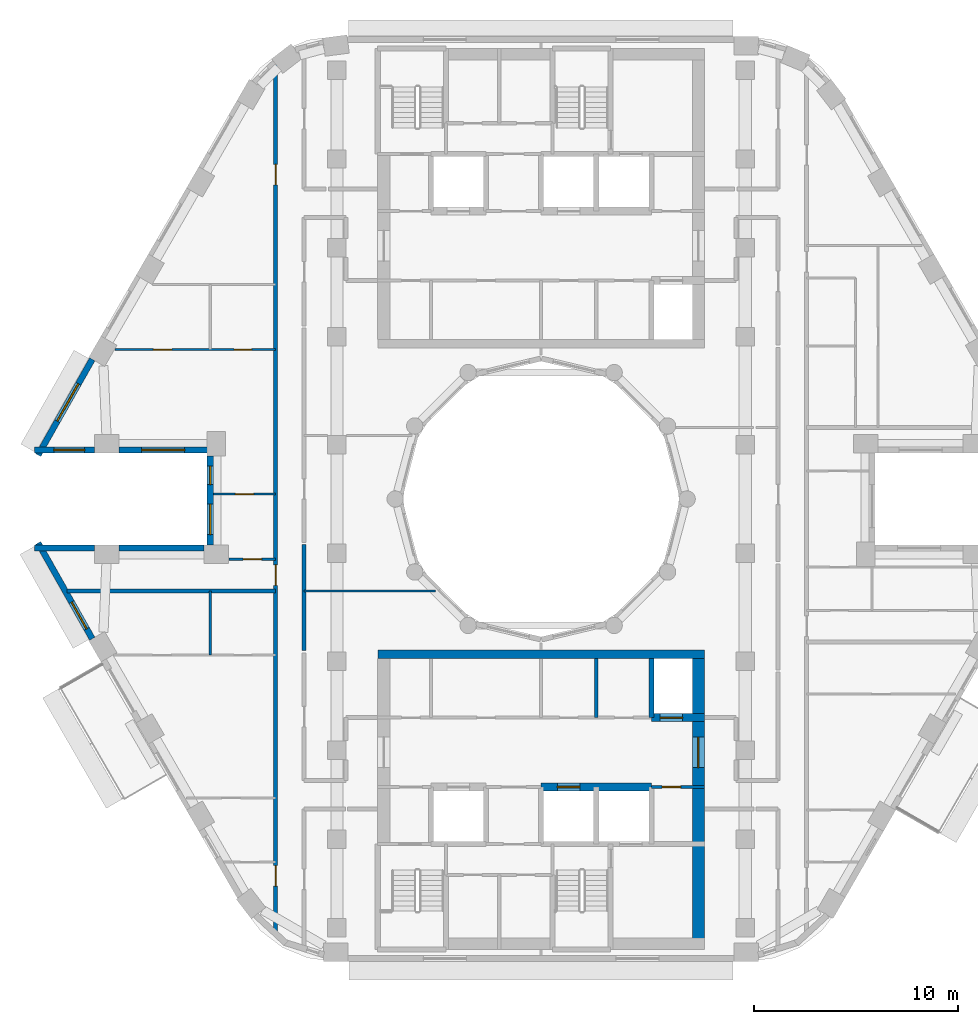
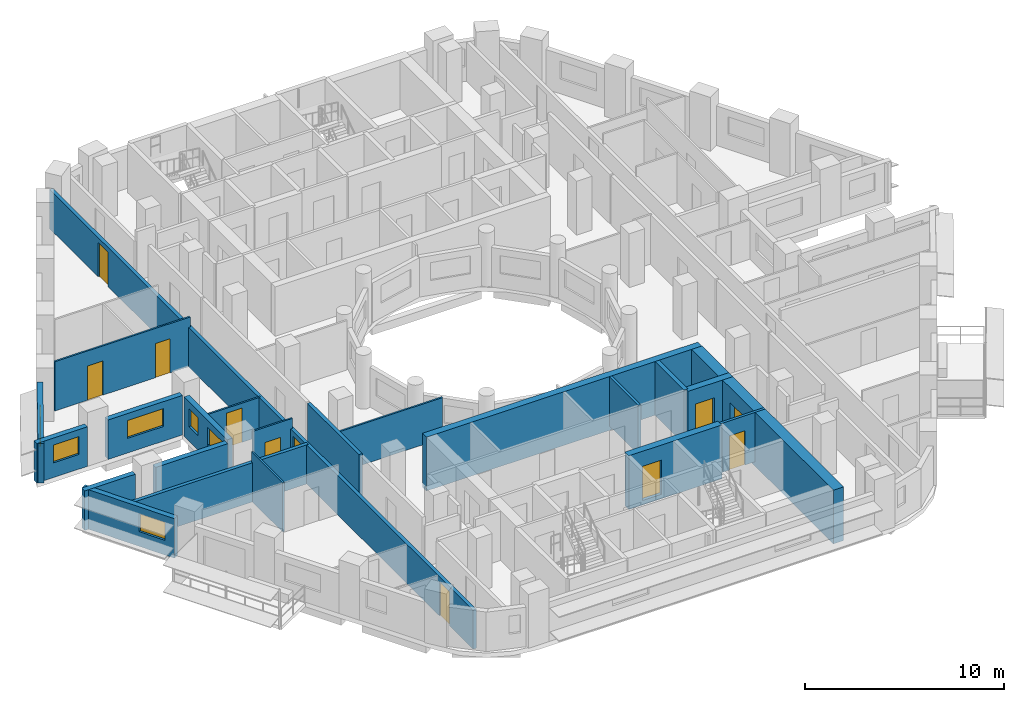
# One storey, part 4 of 16: 22 walls, 11 doors, 6 windows, 17 openings.
"""IFC4 building model written with IfcOpenShell, lengths in metres."""

from ifc_helpers import new_model, si_unit, direction, frame, frame_2d, origin, place, context, subcontext, project, spatial, rectangle, extrude, material, layer, layer_set, type_object, element, fill, save


model = new_model("IFC4")

# Units and contexts
model_context = context("Model", 3, precision=1e-05, world=origin(), true_north=direction((0.0, 1.0)))
body_context = subcontext(model_context, "Body", "Model", "MODEL_VIEW")
ifc_project = project(units=[si_unit("LENGTHUNIT", "METRE"), si_unit("AREAUNIT", "SQUARE_METRE"), si_unit("VOLUMEUNIT", "CUBIC_METRE"), si_unit("PLANEANGLEUNIT", "RADIAN"), si_unit("MASSUNIT", "GRAM", prefix="KILO")], contexts=[model_context])

# Site, building, storey
site_placement = place(None, origin())
site = spatial("IfcSite", under=ifc_project, at=site_placement, CompositionType="ELEMENT")
building_placement = place(site_placement, origin())
building = spatial("IfcBuilding", under=site, at=building_placement, Name="Nakaniwa Court", CompositionType="ELEMENT")
storey_placement = place(building_placement, frame((0.0, 0.0, 199.800048828125)))
storey = spatial("IfcBuildingStorey", under=building, at=storey_placement, Name="L52", CompositionType="ELEMENT", Elevation=199.800048828125)

# Wall
ifc_material_1 = material(Name="Acoustic double stud partition")
ifc_layer_1 = layer(ifc_material_1, 0.199951171875)
ifc_layer_set_1 = layer_set([ifc_layer_1], Name="Acoustic double stud partition")
wall_type_1 = type_object("IfcWallType", Name="Acoustic double stud partition 200", PredefinedType="PARTITIONING", material=ifc_layer_set_1)
wall_1_placement = place(storey_placement, frame((68.39990234375, 72.5771484375, 0.0), z_axis=(0.0, 0.0, 1.0), x_axis=(0.0, 1.0, 0.0)))
element("IfcWall", 1, at=wall_1_placement, inside=storey, type_object=wall_type_1, Name="Partition PW-098", PredefinedType="PARTITIONING", context=body_context, shape_type="SweptSolid", body=[
    extrude(rectangle(XDim=5.185546875, YDim=0.199951171875, at=frame_2d((2.5927734375, 0.0))), origin(), (0.0, 0.0, 1.0), 3.02490234375),
])

# Wall, openings, doors
wall_2_placement = place(storey_placement, frame((67.0, 58.67431640625, 0.0), z_axis=(0.0, 0.0, 1.0), x_axis=(0.0, 1.0, 0.0)))
wall_2 = element("IfcWall", 2, at=wall_2_placement, inside=storey, type_object=wall_type_1, Name="Partition PW-102", PredefinedType="PARTITIONING", context=body_context, shape_type="SweptSolid", body=[
    extrude(rectangle(XDim=42.591796875, YDim=0.199951171875, at=frame_2d((21.2958984375, 0.0))), origin(), (0.0, 0.0, 1.0), 2.405029296875),
])
opening_1_placement = place(wall_2_placement, frame((2.3759765625, 0.0, 0.0)))
opening_1 = element("IfcOpeningElement", 3, at=opening_1_placement, cuts=wall_2, Name="Opening D-01-04", PredefinedType="OPENING", context=body_context, shape_type="SweptSolid", body=[
    extrude(rectangle(XDim=1.0, YDim=2.10009765625, at=frame_2d((0.5, 1.050048828125))), frame((0.0, 0.10986328125, 0.0), z_axis=(0.0, -1.0, 0.0), x_axis=(1.0, 0.0, 0.0)), (0.0, 0.0, 1.0), 0.219970703125),
])
opening_2_placement = place(wall_2_placement, frame((17.10107421875, 0.0, 0.0)))
opening_2 = element("IfcOpeningElement", 4, at=opening_2_placement, cuts=wall_2, Name="Opening D-01-05", PredefinedType="OPENING", context=body_context, shape_type="SweptSolid", body=[
    extrude(rectangle(XDim=1.0, YDim=2.10009765625, at=frame_2d((0.5, 1.050048828125))), frame((0.0, 0.10986328125, 0.0), z_axis=(0.0, -1.0, 0.0), x_axis=(1.0, 0.0, 0.0)), (0.0, 0.0, 1.0), 0.219970703125),
])
opening_3_placement = place(wall_2_placement, frame((36.70703125, 0.0, 0.0)))
opening_3 = element("IfcOpeningElement", 5, at=opening_3_placement, cuts=wall_2, Name="Opening D-02-10", PredefinedType="OPENING", context=body_context, shape_type="SweptSolid", body=[
    extrude(rectangle(XDim=1.0, YDim=2.10009765625, at=frame_2d((0.5, 1.050048828125))), frame((0.0, 0.10986328125, 0.0), z_axis=(0.0, -1.0, 0.0), x_axis=(1.0, 0.0, 0.0)), (0.0, 0.0, 1.0), 0.219970703125),
])
ifc_material_2 = material(Name="Solid core timber door set, black veneer", Category="wood")
door_type_1 = type_object("IfcDoorType", Name="Flat entrance door 1000", OperationType="NOTDEFINED", PredefinedType="DOOR", material=ifc_material_2)
door_1_placement = place(opening_1_placement, origin())
door_1 = element("IfcDoor", 6, at=door_1_placement, inside=storey, type_object=door_type_1, Name="Door D-01-04 L52-043", OperationType="SINGLE_SWING_RIGHT", OverallHeight=2.10009765625, OverallWidth=1.0, PredefinedType="DOOR", context=body_context, shape_type="SweptSolid", body=[
    extrude(rectangle(XDim=1.0, YDim=2.10009765625, at=frame_2d((0.5, 1.050048828125))), frame((0.0, 0.02490234375, 0.0), z_axis=(0.0, -1.0, 0.0), x_axis=(1.0, 0.0, 0.0)), (0.0, 0.0, 1.0), 0.050048828125),
])
fill(opening_1, door_1)
door_2_placement = place(opening_2_placement, origin())
door_2 = element("IfcDoor", 7, at=door_2_placement, inside=storey, type_object=door_type_1, Name="Door D-01-05 L52-049", OperationType="SINGLE_SWING_RIGHT", OverallHeight=2.10009765625, OverallWidth=1.0, PredefinedType="DOOR", context=body_context, shape_type="SweptSolid", body=[
    extrude(rectangle(XDim=1.0, YDim=2.10009765625, at=frame_2d((0.5, 1.050048828125))), frame((0.0, 0.02490234375, 0.0), z_axis=(0.0, -1.0, 0.0), x_axis=(1.0, 0.0, 0.0)), (0.0, 0.0, 1.0), 0.050048828125),
])
fill(opening_2, door_2)
door_type_2 = type_object("IfcDoorType", Name="Internal door 1000", OperationType="NOTDEFINED", PredefinedType="DOOR", material=ifc_material_2)
door_3_placement = place(opening_3_placement, origin())
door_3 = element("IfcDoor", 8, at=door_3_placement, inside=storey, type_object=door_type_2, Name="Door D-02-10 L52-057", OperationType="SINGLE_SWING_RIGHT", OverallHeight=2.10009765625, OverallWidth=1.0, PredefinedType="DOOR", context=body_context, shape_type="SweptSolid", body=[
    extrude(rectangle(XDim=1.0, YDim=2.10009765625, at=frame_2d((0.5, 1.050048828125))), frame((0.0, 0.02490234375, 0.0), z_axis=(0.0, -1.0, 0.0), x_axis=(1.0, 0.0, 0.0)), (0.0, 0.0, 1.0), 0.050048828125),
])
fill(opening_3, door_3)

# Wall
wall_3_placement = place(storey_placement, frame((56.79052734375, 75.5, 0.0), z_axis=(0.0, 0.0, 1.0), x_axis=(1.0, 0.0, 0.0)))
element("IfcWall", 9, at=wall_3_placement, inside=storey, type_object=wall_type_1, Name="Partition PW-132", PredefinedType="PARTITIONING", context=body_context, shape_type="SweptSolid", body=[
    extrude(rectangle(XDim=10.20849609375, YDim=0.199951171875, at=frame_2d((5.104248046875, 0.0))), origin(), (0.0, 0.0, 1.0), 2.405029296875),
])

# Wall, opening, window
ifc_material_3 = material(Name="Charcoal ceramic cladding")
ifc_layer_2 = layer(ifc_material_3, 0.02, Name="Ceramic cladding")
ifc_material_4 = material(Name="Ventilated air cavity")
ifc_layer_3 = layer(ifc_material_4, 0.04, ventilated=True, Name="Ventilated cavity")
ifc_material_5 = material(Name="Mineral wool insulation")
ifc_layer_4 = layer(ifc_material_5, 0.1, Name="Insulation")
ifc_material_6 = material(Name="Cement bonded sheathing board")
ifc_layer_5 = layer(ifc_material_6, 0.012, Name="Sheathing")
ifc_material_7 = material(Name="Cold-formed galvanised stud frame with mineral wool infill")
ifc_layer_6 = layer(ifc_material_7, 0.1, Name="Stud frame")
ifc_material_8 = material(Name="Fire-rated gypsum plasterboard lining")
ifc_layer_7 = layer(ifc_material_8, 0.028, Name="Lining")
ifc_layer_set_2 = layer_set([ifc_layer_2, ifc_layer_3, ifc_layer_4, ifc_layer_5, ifc_layer_6, ifc_layer_7], Name="Charcoal ceramic faced external wall system")
wall_type_2 = type_object("IfcWallType", Name="Black ceramic faced external wall 300", PredefinedType="SOLIDWALL", material=ifc_layer_set_2)
wall_4_placement = place(storey_placement, frame((58.023193359375, 86.843017578125, 0.0), z_axis=(0.0, 0.0, 1.0), x_axis=(-0.492033360928, -0.870576344575, 0.0)))
wall_4 = element("IfcWall", 10, at=wall_4_placement, inside=storey, type_object=wall_type_2, Name="L52 external wall 14", PredefinedType="SOLIDWALL", context=body_context, shape_type="SweptSolid", body=[
    extrude(rectangle(XDim=5.38671875, YDim=0.300048828125, at=frame_2d((2.693359375, 0.0))), origin(), (0.0, 0.0, 1.0), 2.425048828125),
])
opening_4_placement = place(wall_4_placement, frame((1.38037109375, 0.0, 0.89990234375)))
opening_4 = element("IfcOpeningElement", 11, at=opening_4_placement, cuts=wall_4, Name="Opening W7.17", PredefinedType="OPENING", context=body_context, shape_type="SweptSolid", body=[
    extrude(rectangle(XDim=2.10009765625, YDim=1.10009765625, at=frame_2d((1.050048828125, 0.550048828125))), frame((0.0, 0.159912109375, 0.0), z_axis=(0.0, -1.0, 0.0), x_axis=(1.0, 0.0, 0.0)), (0.0, 0.0, 1.0), 0.320068359375),
])
ifc_material_9 = material(Name="Black anodised aluminium frame with dark low-E laminated double glazing", Category="aluminium")
window_type_1 = type_object("IfcWindowType", Name="Dark glass window 2100x1100 sill 900", PartitioningType="SINGLE_PANEL", PredefinedType="WINDOW", material=ifc_material_9)
window_1_placement = place(opening_4_placement, origin())
window_1 = element("IfcWindow", 12, at=window_1_placement, inside=storey, type_object=window_type_1, Name="L52 living window 14-0", OverallHeight=1.10009765625, OverallWidth=2.10009765625, PartitioningType="SINGLE_PANEL", PredefinedType="WINDOW", context=body_context, shape_type="SweptSolid", body=[
    extrude(rectangle(XDim=2.10009765625, YDim=1.10009765625, at=frame_2d((1.050048828125, 0.550048828125))), frame((0.0, 0.030029296875, 0.0), z_axis=(0.0, -1.0, 0.0), x_axis=(1.0, 0.0, 0.0)), (0.0, 0.0, 1.0), 0.06005859375),
])
fill(opening_4, window_1)

wall_5_placement = place(storey_placement, frame((55.2021484375, 82.39990234375, 0.0), z_axis=(0.0, 0.0, 1.0), x_axis=(1.0, 0.0, 0.0)))
wall_5 = element("IfcWall", 13, at=wall_5_placement, inside=storey, type_object=wall_type_2, Name="L52 external wall 15", PredefinedType="SOLIDWALL", context=body_context, shape_type="SweptSolid", body=[
    extrude(rectangle(XDim=2.937744140625, YDim=0.300048828125, at=frame_2d((1.46875, 0.0))), origin(), (0.0, 0.0, 1.0), 2.425048828125),
])
opening_5_placement = place(wall_5_placement, frame((0.94384765625, 0.0, 0.89990234375)))
opening_5 = element("IfcOpeningElement", 14, at=opening_5_placement, cuts=wall_5, Name="Opening W5.18", PredefinedType="OPENING", context=body_context, shape_type="SweptSolid", body=[
    extrude(rectangle(XDim=1.5, YDim=1.10009765625, at=frame_2d((0.75, 0.550048828125))), frame((0.0, 0.159912109375, 0.0), z_axis=(0.0, -1.0, 0.0), x_axis=(1.0, 0.0, 0.0)), (0.0, 0.0, 1.0), 0.320068359375),
])
window_type_2 = type_object("IfcWindowType", Name="Dark glass window 1500x1100 sill 900", PartitioningType="SINGLE_PANEL", PredefinedType="WINDOW", material=ifc_material_9)
window_2_placement = place(opening_5_placement, origin())
window_2 = element("IfcWindow", 15, at=window_2_placement, inside=storey, type_object=window_type_2, Name="L52 living window 15-0", OverallHeight=1.10009765625, OverallWidth=1.5, PartitioningType="SINGLE_PANEL", PredefinedType="WINDOW", context=body_context, shape_type="SweptSolid", body=[
    extrude(rectangle(XDim=1.5, YDim=1.10009765625, at=frame_2d((0.75, 0.550048828125))), frame((0.0, 0.030029296875, 0.0), z_axis=(0.0, -1.0, 0.0), x_axis=(1.0, 0.0, 0.0)), (0.0, 0.0, 1.0), 0.06005859375),
])
fill(opening_5, window_2)

wall_6_placement = place(storey_placement, frame((59.33203125, 82.39990234375, 0.0), z_axis=(0.0, 0.0, 1.0), x_axis=(1.0, 0.0, 0.0)))
wall_6 = element("IfcWall", 16, at=wall_6_placement, inside=storey, type_object=wall_type_2, Name="L52 external wall 16", PredefinedType="SOLIDWALL", context=body_context, shape_type="SweptSolid", body=[
    extrude(rectangle(XDim=4.322509765625, YDim=0.300048828125, at=frame_2d((2.1611328125, 0.0))), origin(), (0.0, 0.0, 1.0), 2.425048828125),
])
opening_6_placement = place(wall_6_placement, frame((1.111083984375, 0.0, 0.89990234375)))
opening_6 = element("IfcOpeningElement", 17, at=opening_6_placement, cuts=wall_6, Name="Opening W7.19", PredefinedType="OPENING", context=body_context, shape_type="SweptSolid", body=[
    extrude(rectangle(XDim=2.10009765625, YDim=1.10009765625, at=frame_2d((1.050048828125, 0.550048828125))), frame((0.0, 0.159912109375, 0.0), z_axis=(0.0, -1.0, 0.0), x_axis=(1.0, 0.0, 0.0)), (0.0, 0.0, 1.0), 0.320068359375),
])
window_3_placement = place(opening_6_placement, origin())
window_3 = element("IfcWindow", 18, at=window_3_placement, inside=storey, type_object=window_type_1, Name="L52 living window 16-0", OverallHeight=1.10009765625, OverallWidth=2.10009765625, PartitioningType="SINGLE_PANEL", PredefinedType="WINDOW", context=body_context, shape_type="SweptSolid", body=[
    extrude(rectangle(XDim=2.10009765625, YDim=1.10009765625, at=frame_2d((1.050048828125, 0.550048828125))), frame((0.0, 0.030029296875, 0.0), z_axis=(0.0, -1.0, 0.0), x_axis=(1.0, 0.0, 0.0)), (0.0, 0.0, 1.0), 0.06005859375),
])
fill(opening_6, window_3)

# Wall, openings, windows
wall_7_placement = place(storey_placement, frame((63.800537109375, 82.10400390625, 0.0), z_axis=(0.0, 0.0, 1.0), x_axis=(0.0, -1.0, 0.0)))
wall_7 = element("IfcWall", 19, at=wall_7_placement, inside=storey, type_object=wall_type_2, Name="L52 external wall 17", PredefinedType="SOLIDWALL", context=body_context, shape_type="SweptSolid", body=[
    extrude(rectangle(XDim=4.35791015625, YDim=0.300048828125, at=frame_2d((2.178955078125, 0.0))), origin(), (0.0, 0.0, 1.0), 2.425048828125),
])
opening_7_placement = place(wall_7_placement, frame((0.496337890625, 0.0, 0.89990234375)))
opening_7 = element("IfcOpeningElement", 20, at=opening_7_placement, cuts=wall_7, Name="Opening W9.20", PredefinedType="OPENING", context=body_context, shape_type="SweptSolid", body=[
    extrude(rectangle(XDim=0.89990234375, YDim=1.10009765625, at=frame_2d((0.449951171875, 0.550048828125))), frame((0.0, 0.159912109375, 0.0), z_axis=(0.0, -1.0, 0.0), x_axis=(1.0, 0.0, 0.0)), (0.0, 0.0, 1.0), 0.320068359375),
])
opening_8_placement = place(wall_7_placement, frame((2.351318359375, 0.0, 0.89990234375)))
opening_8 = element("IfcOpeningElement", 21, at=opening_8_placement, cuts=wall_7, Name="Opening W5.21", PredefinedType="OPENING", context=body_context, shape_type="SweptSolid", body=[
    extrude(rectangle(XDim=1.5, YDim=1.10009765625, at=frame_2d((0.75, 0.550048828125))), frame((0.0, 0.159912109375, 0.0), z_axis=(0.0, -1.0, 0.0), x_axis=(1.0, 0.0, 0.0)), (0.0, 0.0, 1.0), 0.320068359375),
])
window_4_placement = place(opening_8_placement, origin())
window_4 = element("IfcWindow", 22, at=window_4_placement, inside=storey, type_object=window_type_2, Name="L52 habitable room window 17-1", OverallHeight=1.10009765625, OverallWidth=1.5, PartitioningType="SINGLE_PANEL", PredefinedType="WINDOW", context=body_context, shape_type="SweptSolid", body=[
    extrude(rectangle(XDim=1.5, YDim=1.10009765625, at=frame_2d((0.75, 0.550048828125))), frame((0.0, 0.030029296875, 0.0), z_axis=(0.0, -1.0, 0.0), x_axis=(1.0, 0.0, 0.0)), (0.0, 0.0, 1.0), 0.06005859375),
])
fill(opening_8, window_4)
window_type_3 = type_object("IfcWindowType", Name="Dark glass window 900x1100 sill 900", PartitioningType="SINGLE_PANEL", PredefinedType="WINDOW", material=ifc_material_9)
window_5_placement = place(opening_7_placement, origin())
window_5 = element("IfcWindow", 23, at=window_5_placement, inside=storey, type_object=window_type_3, Name="L52 living window 17-0", OverallHeight=1.10009765625, OverallWidth=0.89990234375, PartitioningType="SINGLE_PANEL", PredefinedType="WINDOW", context=body_context, shape_type="SweptSolid", body=[
    extrude(rectangle(XDim=0.89990234375, YDim=1.10009765625, at=frame_2d((0.449951171875, 0.550048828125))), frame((0.0, 0.030029296875, 0.0), z_axis=(0.0, -1.0, 0.0), x_axis=(1.0, 0.0, 0.0)), (0.0, 0.0, 1.0), 0.06005859375),
])
fill(opening_7, window_5)

# Walls
wall_8_placement = place(storey_placement, frame((63.50439453125, 77.60009765625, 0.0), z_axis=(0.0, 0.0, 1.0), x_axis=(-1.0, 0.0, 0.0)))
element("IfcWall", 24, at=wall_8_placement, inside=storey, type_object=wall_type_2, Name="L52 external wall 18", PredefinedType="SOLIDWALL", context=body_context, shape_type="SweptSolid", body=[
    extrude(rectangle(XDim=4.17236328125, YDim=0.300048828125, at=frame_2d((2.086181640625, 0.0))), origin(), (0.0, 0.0, 1.0), 2.425048828125),
])
wall_9_placement = place(storey_placement, frame((58.139892578125, 77.60009765625, 0.0), z_axis=(0.0, 0.0, 1.0), x_axis=(-1.0, 0.0, 0.0)))
element("IfcWall", 25, at=wall_9_placement, inside=storey, type_object=wall_type_2, Name="L52 external wall 19", PredefinedType="SOLIDWALL", context=body_context, shape_type="SweptSolid", body=[
    extrude(rectangle(XDim=2.937744140625, YDim=0.300048828125, at=frame_2d((1.46875, 0.0))), origin(), (0.0, 0.0, 1.0), 2.425048828125),
])

# Wall, opening, window
wall_10_placement = place(storey_placement, frame((55.372802734375, 77.846435546875, 0.0), z_axis=(0.0, 0.0, 1.0), x_axis=(0.492033360928, -0.870576344575, 0.0)))
wall_10 = element("IfcWall", 26, at=wall_10_placement, inside=storey, type_object=wall_type_2, Name="L52 external wall 20", PredefinedType="SOLIDWALL", context=body_context, shape_type="SweptSolid", body=[
    extrude(rectangle(XDim=5.38671875, YDim=0.300048828125, at=frame_2d((2.693359375, 0.0))), origin(), (0.0, 0.0, 1.0), 2.425048828125),
])
opening_9_placement = place(wall_10_placement, frame((3.326171875, 0.0, 0.89990234375)))
opening_9 = element("IfcOpeningElement", 27, at=opening_9_placement, cuts=wall_10, Name="Opening W5.22", PredefinedType="OPENING", context=body_context, shape_type="SweptSolid", body=[
    extrude(rectangle(XDim=1.5, YDim=1.10009765625, at=frame_2d((0.75, 0.550048828125))), frame((0.0, 0.159912109375, 0.0), z_axis=(0.0, -1.0, 0.0), x_axis=(1.0, 0.0, 0.0)), (0.0, 0.0, 1.0), 0.320068359375),
])
window_6_placement = place(opening_9_placement, origin())
window_6 = element("IfcWindow", 28, at=window_6_placement, inside=storey, type_object=window_type_2, Name="L52 habitable room window 20-1", OverallHeight=1.10009765625, OverallWidth=1.5, PartitioningType="SINGLE_PANEL", PredefinedType="WINDOW", context=body_context, shape_type="SweptSolid", body=[
    extrude(rectangle(XDim=1.5, YDim=1.10009765625, at=frame_2d((0.75, 0.550048828125))), frame((0.0, 0.030029296875, 0.0), z_axis=(0.0, -1.0, 0.0), x_axis=(1.0, 0.0, 0.0)), (0.0, 0.0, 1.0), 0.06005859375),
])
fill(opening_9, window_6)

# Wall
ifc_material_10 = material(Name="Blockwork partition", Category="masonry")
ifc_layer_8 = layer(ifc_material_10, 0.14990234375)
ifc_layer_set_3 = layer_set([ifc_layer_8], Name="Blockwork partition")
wall_type_3 = type_object("IfcWallType", Name="Blockwork partition 150", PredefinedType="PARTITIONING", material=ifc_layer_set_3)
wall_11_placement = place(storey_placement, frame((82.699951171875, 69.300048828125, 0.0), z_axis=(0.0, 0.0, 1.0), x_axis=(0.0, 1.0, 0.0)))
element("IfcWall", 29, at=wall_11_placement, inside=storey, type_object=wall_type_3, Name="Partition PW-043", PredefinedType="PARTITIONING", context=body_context, shape_type="SweptSolid", body=[
    extrude(rectangle(XDim=2.89990234375, YDim=0.14990234375, at=frame_2d((1.449951171875, 0.0))), origin(), (0.0, 0.0, 1.0), 3.02490234375),
])

# Wall, opening, door
wall_12_placement = place(storey_placement, frame((88.0, 65.89990234375, 0.0), z_axis=(0.0, 0.0, 1.0), x_axis=(-1.0, 0.0, 0.0)))
wall_12 = element("IfcWall", 30, at=wall_12_placement, inside=storey, type_object=wall_type_3, Name="Partition PW-046", PredefinedType="PARTITIONING", context=body_context, shape_type="SweptSolid", body=[
    extrude(rectangle(XDim=2.60302734375, YDim=0.14990234375, at=frame_2d((1.301513671875, 0.0))), origin(), (0.0, 0.0, 1.0), 3.02490234375),
])
opening_10_placement = place(wall_12_placement, frame((1.175048828125, 0.0, 0.0)))
opening_10 = element("IfcOpeningElement", 31, at=opening_10_placement, cuts=wall_12, Name="Opening D-05-12", PredefinedType="OPENING", context=body_context, shape_type="SweptSolid", body=[
    extrude(rectangle(XDim=0.89990234375, YDim=2.10009765625, at=frame_2d((0.449951171875, 1.050048828125))), frame((0.0, 0.0849609375, 0.0), z_axis=(0.0, -1.0, 0.0), x_axis=(1.0, 0.0, 0.0)), (0.0, 0.0, 1.0), 0.169921875),
])
ifc_material_11 = material(Name="Fire rated steel door set", Category="steel")
door_type_3 = type_object("IfcDoorType", Name="Service room door 900", OperationType="NOTDEFINED", PredefinedType="DOOR", material=ifc_material_11)
door_4_placement = place(opening_10_placement, origin())
door_4 = element("IfcDoor", 32, at=door_4_placement, inside=storey, type_object=door_type_3, Name="Door D-05-12 L52-019", OperationType="SINGLE_SWING_RIGHT", OverallHeight=2.10009765625, OverallWidth=0.89990234375, PredefinedType="DOOR", context=body_context, shape_type="SweptSolid", body=[
    extrude(rectangle(XDim=0.89990234375, YDim=2.10009765625, at=frame_2d((0.449951171875, 1.050048828125))), frame((0.0, 0.02490234375, 0.0), z_axis=(0.0, -1.0, 0.0), x_axis=(1.0, 0.0, 0.0)), (0.0, 0.0, 1.0), 0.050048828125),
])
fill(opening_10, door_4)

ifc_material_12 = material(Name="Concrete C80/100", Category="concrete")
ifc_layer_9 = layer(ifc_material_12, 0.60009765625)
ifc_layer_set_4 = layer_set([ifc_layer_9], Name="Concrete C80/100")
wall_type_4 = type_object("IfcWallType", Name="Concrete core side wall 600 C80", PredefinedType="SHEAR", material=ifc_layer_set_4)
wall_13_placement = place(storey_placement, frame((87.699951171875, 72.199951171875, -0.275146484375), z_axis=(0.0, 0.0, 1.0), x_axis=(0.0, -1.0, 0.0)))
wall_13 = element("IfcWall", 33, at=wall_13_placement, inside=storey, type_object=wall_type_4, Name="Core wall SW-41", PredefinedType="SHEAR", context=body_context, shape_type="SweptSolid", body=[
    extrude(rectangle(XDim=14.25, YDim=0.60009765625, at=frame_2d((7.125, 0.0))), origin(), (0.0, 0.0, 1.0), 3.300048828125),
])
opening_11_placement = place(wall_13_placement, frame((3.85205078125, 0.0, 0.27490234375)))
opening_11 = element("IfcOpeningElement", 34, at=opening_11_placement, cuts=wall_13, Name="Opening D-07-03", PredefinedType="OPENING", context=body_context, shape_type="SweptSolid", body=[
    extrude(rectangle(XDim=1.5, YDim=2.10009765625, at=frame_2d((0.75, 1.050048828125))), frame((0.0, 0.31005859375, 0.0), z_axis=(0.0, -1.0, 0.0), x_axis=(1.0, 0.0, 0.0)), (0.0, 0.0, 1.0), 0.6201171875),
])
ifc_material_13 = material(Name="Glazed fire rated steel double door set", Category="steel")
door_type_4 = type_object("IfcDoorType", Name="Lobby double door 1500", OperationType="NOTDEFINED", PredefinedType="DOOR", material=ifc_material_13)
door_5_placement = place(opening_11_placement, origin())
door_5 = element("IfcDoor", 35, at=door_5_placement, inside=storey, type_object=door_type_4, Name="Door D-07-03 L52-061", OperationType="DOUBLE_DOOR_SINGLE_SWING", OverallHeight=2.10009765625, OverallWidth=1.5, PredefinedType="DOOR", context=body_context, shape_type="SweptSolid", body=[
    extrude(rectangle(XDim=1.5, YDim=2.10009765625, at=frame_2d((0.75, 1.050048828125))), frame((0.0, 0.02490234375, 0.0), z_axis=(0.0, -1.0, 0.0), x_axis=(1.0, 0.0, 0.0)), (0.0, 0.0, 1.0), 0.050048828125),
])
fill(opening_11, door_5)

ifc_layer_10 = layer(ifc_material_12, 0.39990234375)
ifc_layer_set_5 = layer_set([ifc_layer_10], Name="Concrete C80/100")
wall_type_5 = type_object("IfcWallType", Name="Concrete core spine wall 400 C80", PredefinedType="SHEAR", material=ifc_layer_set_5)
wall_14_placement = place(storey_placement, frame((85.39990234375, 69.300048828125, -0.275146484375), z_axis=(0.0, 0.0, 1.0), x_axis=(1.0, 0.0, 0.0)))
wall_14 = element("IfcWall", 36, at=wall_14_placement, inside=storey, type_object=wall_type_5, Name="Core wall SW-40", PredefinedType="SHEAR", context=body_context, shape_type="SweptSolid", body=[
    extrude(rectangle(XDim=2.60009765625, YDim=0.39990234375, at=frame_2d((1.300048828125, 0.0))), origin(), (0.0, 0.0, 1.0), 3.300048828125),
])
opening_12_placement = place(wall_14_placement, frame((0.425048828125, 0.0, 0.27490234375)))
opening_12 = element("IfcOpeningElement", 37, at=opening_12_placement, cuts=wall_14, Name="Opening LD05", PredefinedType="OPENING", context=body_context, shape_type="SweptSolid", body=[
    extrude(rectangle(XDim=1.10009765625, YDim=2.10009765625, at=frame_2d((0.550048828125, 1.050048828125))), frame((0.0, 0.2099609375, 0.0), z_axis=(0.0, -1.0, 0.0), x_axis=(1.0, 0.0, 0.0)), (0.0, 0.0, 1.0), 0.419921875),
])
ifc_material_14 = material(Name="Stainless steel sliding lift landing door", Category="steel")
door_type_5 = type_object("IfcDoorType", Name="Lift landing door 1100", OperationType="NOTDEFINED", PredefinedType="DOOR", material=ifc_material_14)
door_6_placement = place(opening_12_placement, origin())
door_6 = element("IfcDoor", 38, at=door_6_placement, inside=storey, type_object=door_type_5, Name="Lift landing door LD05 L52-005", OperationType="SLIDING_TO_LEFT", OverallHeight=2.10009765625, OverallWidth=1.10009765625, PredefinedType="DOOR", context=body_context, shape_type="SweptSolid", body=[
    extrude(rectangle(XDim=1.10009765625, YDim=2.10009765625, at=frame_2d((0.550048828125, 1.050048828125))), frame((0.0, 0.02490234375, 0.0), z_axis=(0.0, -1.0, 0.0), x_axis=(1.0, 0.0, 0.0)), (0.0, 0.0, 1.0), 0.050048828125),
])
fill(opening_12, door_6)

wall_15_placement = place(storey_placement, frame((79.9970703125, 65.89990234375, -0.275146484375), z_axis=(0.0, 0.0, 1.0), x_axis=(1.0, 0.0, 0.0)))
wall_15 = element("IfcWall", 39, at=wall_15_placement, inside=storey, type_object=wall_type_5, Name="Core wall SW-48", PredefinedType="SHEAR", context=body_context, shape_type="SweptSolid", body=[
    extrude(rectangle(XDim=5.406005859375, YDim=0.39990234375, at=frame_2d((2.703125, 0.0))), origin(), (0.0, 0.0, 1.0), 3.300048828125),
])
opening_13_placement = place(wall_15_placement, frame((0.802978515625, 0.0, 0.27490234375)))
opening_13 = element("IfcOpeningElement", 40, at=opening_13_placement, cuts=wall_15, Name="Opening LD07", PredefinedType="OPENING", context=body_context, shape_type="SweptSolid", body=[
    extrude(rectangle(XDim=1.10009765625, YDim=2.10009765625, at=frame_2d((0.550048828125, 1.050048828125))), frame((0.0, 0.2099609375, 0.0), z_axis=(0.0, -1.0, 0.0), x_axis=(1.0, 0.0, 0.0)), (0.0, 0.0, 1.0), 0.419921875),
])
door_7_placement = place(opening_13_placement, origin())
door_7 = element("IfcDoor", 41, at=door_7_placement, inside=storey, type_object=door_type_5, Name="Lift landing door LD07 L52-007", OperationType="SLIDING_TO_LEFT", OverallHeight=2.10009765625, OverallWidth=1.10009765625, PredefinedType="DOOR", context=body_context, shape_type="SweptSolid", body=[
    extrude(rectangle(XDim=1.10009765625, YDim=2.10009765625, at=frame_2d((0.550048828125, 1.050048828125))), frame((0.0, 0.02490234375, 0.0), z_axis=(0.0, -1.0, 0.0), x_axis=(1.0, 0.0, 0.0)), (0.0, 0.0, 1.0), 0.050048828125),
])
fill(opening_13, door_7)

# Walls
ifc_layer_11 = layer(ifc_material_12, 0.39990234375)
ifc_layer_set_6 = layer_set([ifc_layer_11], Name="Concrete C80/100")
wall_type_6 = type_object("IfcWallType", Name="Concrete core well wall 400 C80", PredefinedType="SHEAR", material=ifc_layer_set_6)
wall_16_placement = place(storey_placement, frame((72.00390625, 72.39990234375, -0.275146484375), z_axis=(0.0, 0.0, 1.0), x_axis=(1.0, 0.0, 0.0)))
element("IfcWall", 42, at=wall_16_placement, inside=storey, type_object=wall_type_6, Name="Core wall SW-141", PredefinedType="SHEAR", context=body_context, shape_type="SweptSolid", body=[
    extrude(rectangle(XDim=15.9921875, YDim=0.39990234375, at=frame_2d((7.99609375, 0.0))), origin(), (0.0, 0.0, 1.0), 3.300048828125),
])
ifc_layer_12 = layer(ifc_material_12, 0.25)
ifc_layer_set_7 = layer_set([ifc_layer_12], Name="Concrete C80/100")
wall_type_7 = type_object("IfcWallType", Name="Concrete shaft wall 250 C80", PredefinedType="SHEAR", material=ifc_layer_set_7)
wall_17_placement = place(storey_placement, frame((85.39990234375, 69.300048828125, -0.275146484375), z_axis=(0.0, 0.0, 1.0), x_axis=(0.0, 1.0, 0.0)))
element("IfcWall", 43, at=wall_17_placement, inside=storey, type_object=wall_type_7, Name="Core wall SW-39", PredefinedType="SHEAR", context=body_context, shape_type="SweptSolid", body=[
    extrude(rectangle(XDim=2.89990234375, YDim=0.25, at=frame_2d((1.449951171875, 0.0))), origin(), (0.0, 0.0, 1.0), 3.300048828125),
])
ifc_material_15 = material(Name="Single stud plasterboard partition")
ifc_layer_13 = layer(ifc_material_15, 0.10009765625)
ifc_layer_set_8 = layer_set([ifc_layer_13], Name="Single stud plasterboard partition")
wall_type_8 = type_object("IfcWallType", Name="Single stud plasterboard partition 100", PredefinedType="PARTITIONING", material=ifc_layer_set_8)
wall_18_placement = place(storey_placement, frame((63.799072265625, 72.35595703125, 0.0), z_axis=(0.0, 0.0, 1.0), x_axis=(0.0, 1.0, 0.0)))
element("IfcWall", 44, at=wall_18_placement, inside=storey, type_object=wall_type_8, Name="Partition PW-130", PredefinedType="PARTITIONING", context=body_context, shape_type="SweptSolid", body=[
    extrude(rectangle(XDim=3.14404296875, YDim=0.10009765625, at=frame_2d((1.572021484375, 0.0))), origin(), (0.0, 0.0, 1.0), 3.02490234375),
])
wall_19_placement = place(storey_placement, frame((68.40087890625, 75.5, 0.0), z_axis=(0.0, 0.0, 1.0), x_axis=(1.0, 0.0, 0.0)))
element("IfcWall", 45, at=wall_19_placement, inside=storey, type_object=wall_type_8, Name="Partition PW-133", PredefinedType="PARTITIONING", context=body_context, shape_type="SweptSolid", body=[
    extrude(rectangle(XDim=6.42578125, YDim=0.10009765625, at=frame_2d((3.212890625, 0.0))), origin(), (0.0, 0.0, 1.0), 2.5048828125),
])

# Wall, opening, door
wall_20_placement = place(storey_placement, frame((64.720458984375, 77.050048828125, 0.0), z_axis=(0.0, 0.0, 1.0), x_axis=(1.0, 0.0, 0.0)))
wall_20 = element("IfcWall", 46, at=wall_20_placement, inside=storey, type_object=wall_type_8, Name="Partition PW-134", PredefinedType="PARTITIONING", context=body_context, shape_type="SweptSolid", body=[
    extrude(rectangle(XDim=2.278564453125, YDim=0.10009765625, at=frame_2d((1.13916015625, 0.0))), origin(), (0.0, 0.0, 1.0), 3.02490234375),
])
opening_14_placement = place(wall_20_placement, frame((0.68896484375, 0.0, 0.0)))
opening_14 = element("IfcOpeningElement", 47, at=opening_14_placement, cuts=wall_20, Name="Opening D-33-11", PredefinedType="OPENING", context=body_context, shape_type="SweptSolid", body=[
    extrude(rectangle(XDim=0.89990234375, YDim=2.10009765625, at=frame_2d((0.449951171875, 1.050048828125))), frame((0.0, 0.06005859375, 0.0), z_axis=(0.0, -1.0, 0.0), x_axis=(1.0, 0.0, 0.0)), (0.0, 0.0, 1.0), 0.1201171875),
])
door_type_6 = type_object("IfcDoorType", Name="Internal door 900", OperationType="NOTDEFINED", PredefinedType="DOOR", material=ifc_material_2)
door_8_placement = place(opening_14_placement, origin())
door_8 = element("IfcDoor", 48, at=door_8_placement, inside=storey, type_object=door_type_6, Name="Door D-33-11 L52-050", OperationType="SINGLE_SWING_LEFT", OverallHeight=2.10009765625, OverallWidth=0.89990234375, PredefinedType="DOOR", context=body_context, shape_type="SweptSolid", body=[
    extrude(rectangle(XDim=0.89990234375, YDim=2.10009765625, at=frame_2d((0.449951171875, 1.050048828125))), frame((0.0, 0.02490234375, 0.0), z_axis=(0.0, -1.0, 0.0), x_axis=(1.0, 0.0, 0.0)), (0.0, 0.0, 1.0), 0.050048828125),
])
fill(opening_14, door_8)

wall_21_placement = place(storey_placement, frame((63.950439453125, 80.236083984375, 0.0), z_axis=(0.0, 0.0, 1.0), x_axis=(1.0, 0.0, 0.0)))
wall_21 = element("IfcWall", 49, at=wall_21_placement, inside=storey, type_object=wall_type_8, Name="Partition PW-135", PredefinedType="PARTITIONING", context=body_context, shape_type="SweptSolid", body=[
    extrude(rectangle(XDim=3.048583984375, YDim=0.10009765625, at=frame_2d((1.5244140625, 0.0))), origin(), (0.0, 0.0, 1.0), 2.405029296875),
])
opening_15_placement = place(wall_21_placement, frame((1.073974609375, 0.0, 0.0)))
opening_15 = element("IfcOpeningElement", 50, at=opening_15_placement, cuts=wall_21, Name="Opening D-33-12", PredefinedType="OPENING", context=body_context, shape_type="SweptSolid", body=[
    extrude(rectangle(XDim=0.89990234375, YDim=2.10009765625, at=frame_2d((0.449951171875, 1.050048828125))), frame((0.0, 0.06005859375, 0.0), z_axis=(0.0, -1.0, 0.0), x_axis=(1.0, 0.0, 0.0)), (0.0, 0.0, 1.0), 0.1201171875),
])
door_9_placement = place(opening_15_placement, origin())
door_9 = element("IfcDoor", 51, at=door_9_placement, inside=storey, type_object=door_type_6, Name="Door D-33-12 L52-051", OperationType="SINGLE_SWING_RIGHT", OverallHeight=2.10009765625, OverallWidth=0.89990234375, PredefinedType="DOOR", context=body_context, shape_type="SweptSolid", body=[
    extrude(rectangle(XDim=0.89990234375, YDim=2.10009765625, at=frame_2d((0.449951171875, 1.050048828125))), frame((0.0, 0.02490234375, 0.0), z_axis=(0.0, -1.0, 0.0), x_axis=(1.0, 0.0, 0.0)), (0.0, 0.0, 1.0), 0.050048828125),
])
fill(opening_15, door_9)

# Wall, openings, doors
wall_22_placement = place(storey_placement, frame((59.13134765625, 87.31396484375, 0.0), z_axis=(0.0, 0.0, 1.0), x_axis=(1.0, 0.0, 0.0)))
wall_22 = element("IfcWall", 52, at=wall_22_placement, inside=storey, type_object=wall_type_8, Name="Partition PW-136", PredefinedType="PARTITIONING", context=body_context, shape_type="SweptSolid", body=[
    extrude(rectangle(XDim=7.86767578125, YDim=0.10009765625, at=frame_2d((3.933837890625, 0.0))), origin(), (0.0, 0.0, 1.0), 3.02490234375),
])
opening_16_placement = place(wall_22_placement, frame((5.843017578125, 0.0, 0.0)))
opening_16 = element("IfcOpeningElement", 53, at=opening_16_placement, cuts=wall_22, Name="Opening D-03-05", PredefinedType="OPENING", context=body_context, shape_type="SweptSolid", body=[
    extrude(rectangle(XDim=0.85009765625, YDim=2.10009765625, at=frame_2d((0.425048828125, 1.050048828125))), frame((0.0, 0.06005859375, 0.0), z_axis=(0.0, -1.0, 0.0), x_axis=(1.0, 0.0, 0.0)), (0.0, 0.0, 1.0), 0.1201171875),
])
opening_17_placement = place(wall_22_placement, frame((1.884033203125, 0.0, 0.0)))
opening_17 = element("IfcOpeningElement", 54, at=opening_17_placement, cuts=wall_22, Name="Opening D-33-13", PredefinedType="OPENING", context=body_context, shape_type="SweptSolid", body=[
    extrude(rectangle(XDim=0.89990234375, YDim=2.10009765625, at=frame_2d((0.449951171875, 1.050048828125))), frame((0.0, 0.06005859375, 0.0), z_axis=(0.0, -1.0, 0.0), x_axis=(1.0, 0.0, 0.0)), (0.0, 0.0, 1.0), 0.1201171875),
])
ifc_material_16 = material(Name="Moisture sealed timber door set", Category="wood")
door_type_7 = type_object("IfcDoorType", Name="Bathroom door 850", OperationType="NOTDEFINED", PredefinedType="DOOR", material=ifc_material_16)
door_10_placement = place(opening_16_placement, origin())
door_10 = element("IfcDoor", 55, at=door_10_placement, inside=storey, type_object=door_type_7, Name="Door D-03-05 L52-052", OperationType="SINGLE_SWING_LEFT", OverallHeight=2.10009765625, OverallWidth=0.85009765625, PredefinedType="DOOR", context=body_context, shape_type="SweptSolid", body=[
    extrude(rectangle(XDim=0.85009765625, YDim=2.10009765625, at=frame_2d((0.425048828125, 1.050048828125))), frame((0.0, 0.02490234375, 0.0), z_axis=(0.0, -1.0, 0.0), x_axis=(1.0, 0.0, 0.0)), (0.0, 0.0, 1.0), 0.050048828125),
])
fill(opening_16, door_10)
door_11_placement = place(opening_17_placement, origin())
door_11 = element("IfcDoor", 56, at=door_11_placement, inside=storey, type_object=door_type_6, Name="Door D-33-13 L52-053", OperationType="SINGLE_SWING_RIGHT", OverallHeight=2.10009765625, OverallWidth=0.89990234375, PredefinedType="DOOR", context=body_context, shape_type="SweptSolid", body=[
    extrude(rectangle(XDim=0.89990234375, YDim=2.10009765625, at=frame_2d((0.449951171875, 1.050048828125))), frame((0.0, 0.02490234375, 0.0), z_axis=(0.0, -1.0, 0.0), x_axis=(1.0, 0.0, 0.0)), (0.0, 0.0, 1.0), 0.050048828125),
])
fill(opening_17, door_11)

save(model, "model.ifc")
